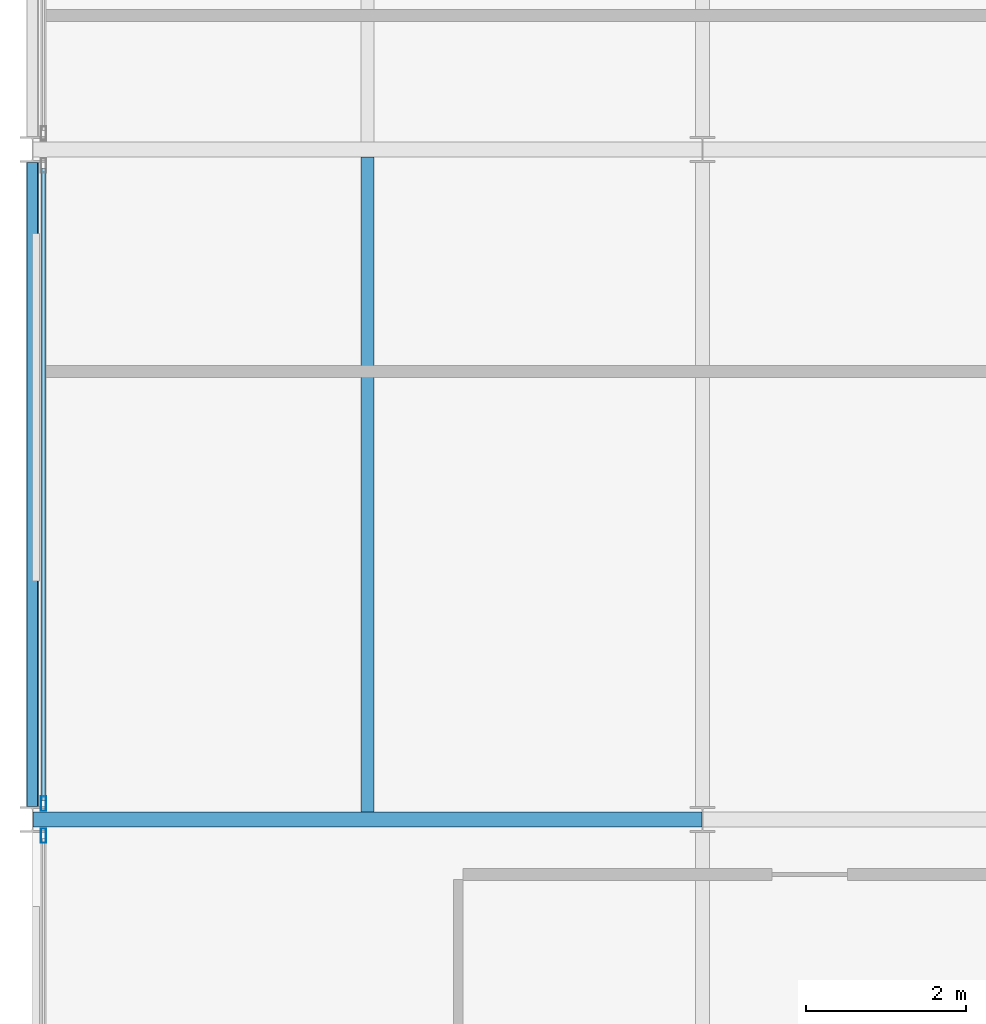
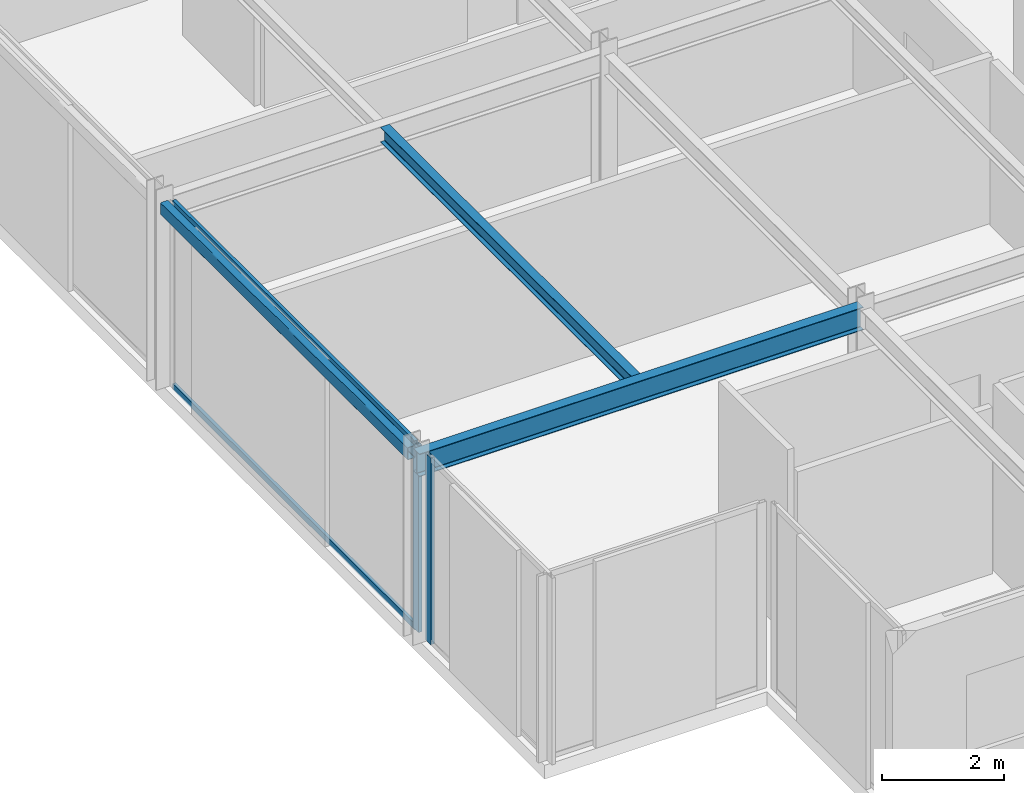
# One storey, part 5 of 24: 4 members, 3 beams, 2 elements without a shape of their own.
"""IFC4 building model written with IfcOpenShell, lengths in metres."""

from ifc_helpers import new_model, si_unit, direction, frame, origin, origin_2d, place, context, subcontext, project, spatial, hollow_rectangle, i_section, extrude, material, layer, layer_set, material_profile, profile_set, type_object, element, aggregate, save


model = new_model("IFC4")

# Units and contexts
model_context = context("Model", 3, precision=1e-05, world=origin(), true_north=direction((0.0, 1.0)))
body_context = subcontext(model_context, "Body", "Model", "MODEL_VIEW")
ifc_project = project(units=[si_unit("LENGTHUNIT", "METRE"), si_unit("AREAUNIT", "SQUARE_METRE"), si_unit("VOLUMEUNIT", "CUBIC_METRE"), si_unit("PLANEANGLEUNIT", "RADIAN"), si_unit("MASSUNIT", "GRAM", prefix="KILO")], contexts=[model_context])

# Site, building, storey
site_placement = place(None, origin())
site = spatial("IfcSite", under=ifc_project, at=site_placement, CompositionType="ELEMENT")
building_placement = place(site_placement, origin())
building = spatial("IfcBuilding", under=site, at=building_placement, Name="Nerrivon Quay Data Exchange", CompositionType="ELEMENT")
storey_placement = place(building_placement, frame((0.0, 0.0, 294.199951171875)))
storey = spatial("IfcBuildingStorey", under=building, at=storey_placement, Name="L70", CompositionType="ELEMENT", Elevation=294.199951171875)

# Beams
ifc_material_1 = material(Name="Steel Grade 350", Category="steel")
ifc_material_profile_1 = material_profile(ifc_material_1, i_section(OverallWidth=0.18994140625, OverallDepth=0.4541015625, WebThickness=0.008544921875, FlangeThickness=0.0126953125, FilletRadius=0.011474609375, at=origin_2d()), Name="460UB67.1")
ifc_profile_set_1 = profile_set([ifc_material_profile_1], Name="Steel Grade 350")
beam_type_1 = type_object("IfcBeamType", Name="BM-G6-460UB67", PredefinedType="BEAM", material=ifc_profile_set_1)
beam_1_placement = place(storey_placement, frame((0.0078125, 8.39990234375, 3.498046875), z_axis=(1.0, 0.0, 0.0), x_axis=(0.0, 1.0, 0.0)))
element("IfcBeam", 1, at=beam_1_placement, inside=storey, type_object=beam_type_1, Name="L70 EW Girder Y=8.4 (0.0..8.4)", PredefinedType="BEAM", context=body_context, shape_type="SweptSolid", body=[
    extrude(i_section(OverallWidth=0.18994140625, OverallDepth=0.4541015625, WebThickness=0.008544921875, FlangeThickness=0.0126953125, FilletRadius=0.011474609375, at=origin_2d()), origin(), (0.0, 0.0, 1.0), 8.38427734375),
])
ifc_material_profile_2 = material_profile(ifc_material_1, i_section(OverallWidth=0.1650390625, OverallDepth=0.303955078125, WebThickness=0.006103515625, FlangeThickness=0.01025390625, FilletRadius=0.011474609375, at=origin_2d()), Name="310UB40.4")
ifc_profile_set_2 = profile_set([ifc_material_profile_2], Name="Steel Grade 350")
beam_type_2 = type_object("IfcBeamType", Name="BM-J6-310UB40", PredefinedType="JOIST", material=ifc_profile_set_2)
beam_2_placement = place(storey_placement, frame((4.199951171875, 8.4951171875, 3.572998046875), z_axis=(0.0, 1.0, 0.0), x_axis=(-1.0, 0.0, 0.0)))
element("IfcBeam", 2, at=beam_2_placement, inside=storey, type_object=beam_type_2, Name="L70 Secondary Joist X=4.2 (8.4..16.8)", PredefinedType="JOIST", context=body_context, shape_type="SweptSolid", body=[
    extrude(i_section(OverallWidth=0.1650390625, OverallDepth=0.303955078125, WebThickness=0.006103515625, FlangeThickness=0.01025390625, FilletRadius=0.011474609375, at=origin_2d()), origin(), (0.0, 0.0, 1.0), 8.2099609375),
])
ifc_material_2 = material(Name="Steel Grade C350L0 (350 MPa)", Category="steel")
ifc_material_profile_3 = material_profile(ifc_material_2, hollow_rectangle(XDim=0.14990234375, YDim=0.25, WallThickness=0.009033203125, InnerFilletRadius=0.013427734375, OuterFilletRadius=0.0224609375, at=origin_2d()), Name="250x150x9.0RHS")
ifc_profile_set_3 = profile_set([ifc_material_profile_3], Name="Steel Grade C350L0 (350 MPa)")
beam_type_3 = type_object("IfcBeamType", Name="BM-SP4-250x150RHS", PredefinedType="SPANDREL", material=ifc_profile_set_3)
beam_3_placement = place(storey_placement, frame((0.0, 8.5634765625, 3.60009765625), z_axis=(0.0, 1.0, 0.0), x_axis=(-1.0, 0.0, 0.0)))
element("IfcBeam", 3, at=beam_3_placement, inside=storey, type_object=beam_type_3, Name="L70 NS Girder X=0.0 (8.4..16.8)", PredefinedType="SPANDREL", context=body_context, shape_type="SweptSolid", body=[
    extrude(hollow_rectangle(XDim=0.14990234375, YDim=0.25, WallThickness=0.009033203125, InnerFilletRadius=0.013427734375, OuterFilletRadius=0.0224609375, at=origin_2d()), origin(), (0.0, 0.0, 1.0), 8.072998046875),
])

# Curtain wall, member
ifc_material_3 = material(Name="Anodised aluminium 6063-T6", Category="aluminium")
ifc_layer = layer(ifc_material_3, 0.195068359375)
ifc_layer_set = layer_set([ifc_layer], Name="Anodised aluminium 6063-T6")
curtain_wall_type = type_object("IfcCurtainWallType", Name="CW-SYS-06", PredefinedType="NOTDEFINED", material=ifc_layer_set)
curtain_wall_1_placement = place(storey_placement, origin())
curtain_wall_1 = element("IfcCurtainWall", 4, at=curtain_wall_1_placement, inside=storey, type_object=curtain_wall_type, Name="L70 Unitised Curtain Wall 8", PredefinedType="NOTDEFINED")
ifc_material_profile_4 = material_profile(ifc_material_3, hollow_rectangle(XDim=0.06494140625, YDim=0.179931640625, WallThickness=0.00341796875, at=origin_2d()), Name="ALU-MULL-180x65")
ifc_profile_set_4 = profile_set([ifc_material_profile_4], Name="Anodised aluminium 6063-T6")
member_type_1 = type_object("IfcMemberType", Name="CWM-180x65", PredefinedType="MULLION", material=ifc_profile_set_4)
member_1_placement = place(storey_placement, frame((0.139892578125, 8.198974609375, 0.0), z_axis=(0.0, 0.0, 1.0), x_axis=(-1.0, 0.0, 0.0)))
member_1 = element("IfcMember", 5, at=member_1_placement, type_object=member_type_1, Name="CW06 mullion 2", PredefinedType="MULLION", context=body_context, shape_type="SweptSolid", body=[
    extrude(hollow_rectangle(XDim=0.06494140625, YDim=0.179931640625, WallThickness=0.00341796875, at=origin_2d()), origin(), (0.0, 0.0, 1.0), 3.72509765625),
])
aggregate(curtain_wall_1, [member_1])

# Curtain wall, members
curtain_wall_2_placement = place(storey_placement, origin())
curtain_wall_2 = element("IfcCurtainWall", 6, at=curtain_wall_2_placement, inside=storey, type_object=curtain_wall_type, Name="L70 Unitised Curtain Wall 9", PredefinedType="NOTDEFINED")
member_2_placement = place(storey_placement, frame((0.139892578125, 8.60107421875, 0.0), z_axis=(0.0, 0.0, 1.0), x_axis=(-1.0, 0.0, 0.0)))
member_2 = element("IfcMember", 7, at=member_2_placement, type_object=member_type_1, Name="CW06 mullion 1", PredefinedType="MULLION", context=body_context, shape_type="SweptSolid", body=[
    extrude(hollow_rectangle(XDim=0.06494140625, YDim=0.179931640625, WallThickness=0.00341796875, at=origin_2d()), origin(), (0.0, 0.0, 1.0), 3.72509765625),
])
ifc_material_profile_5 = material_profile(ifc_material_3, hollow_rectangle(XDim=0.06005859375, YDim=0.1201171875, WallThickness=0.003173828125, at=origin_2d()), Name="ALU-TRAN-120x60")
ifc_profile_set_5 = profile_set([ifc_material_profile_5], Name="Anodised aluminium 6063-T6")
member_type_2 = type_object("IfcMemberType", Name="CWT-120x60", PredefinedType="USERDEFINED", material=ifc_profile_set_5)
member_3_placement = place(storey_placement, frame((0.139892578125, 8.638427734375, 0.032470703125), z_axis=(0.0, 1.0, 0.0), x_axis=(-1.0, 0.0, 0.0)))
member_3 = element("IfcMember", 8, at=member_3_placement, type_object=member_type_2, Name="CW06 transom 1.1", ObjectType="TRANSOM", PredefinedType="USERDEFINED", context=body_context, shape_type="SweptSolid", body=[
    extrude(hollow_rectangle(XDim=0.06005859375, YDim=0.1201171875, WallThickness=0.003173828125, at=origin_2d()), origin(), (0.0, 0.0, 1.0), 7.923095703125),
])
member_4_placement = place(storey_placement, frame((0.139892578125, 8.638427734375, 3.692626953125), z_axis=(0.0, 1.0, 0.0), x_axis=(-1.0, 0.0, 0.0)))
member_4 = element("IfcMember", 9, at=member_4_placement, type_object=member_type_2, Name="CW06 transom 1.2", ObjectType="TRANSOM", PredefinedType="USERDEFINED", context=body_context, shape_type="SweptSolid", body=[
    extrude(hollow_rectangle(XDim=0.06005859375, YDim=0.1201171875, WallThickness=0.003173828125, at=origin_2d()), origin(), (0.0, 0.0, 1.0), 7.923095703125),
])
aggregate(curtain_wall_2, [member_2, member_3, member_4])

save(model, "model.ifc")
